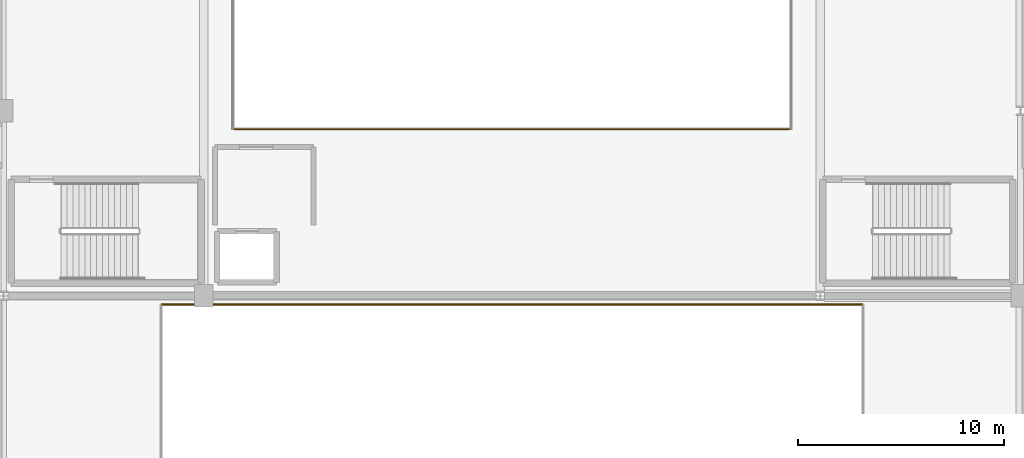
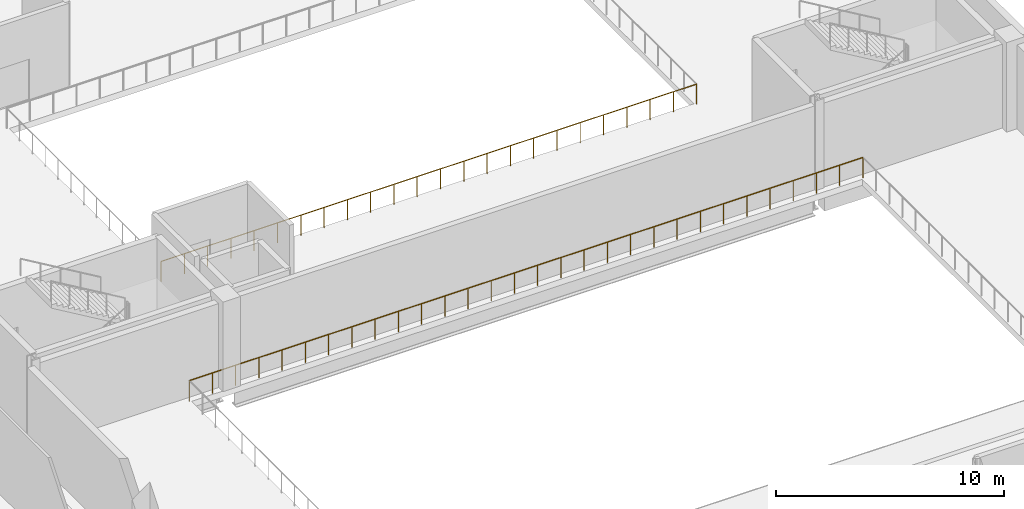
# One storey, part 38 of 41: 2 railings.
"""IFC4 building model written with IfcOpenShell, lengths in metres."""

from ifc_helpers import new_model, si_unit, direction, frame, origin, origin_2d, place, context, subcontext, project, spatial, circle, extrude, material, type_object, element, save


model = new_model("IFC4")

# Units and contexts
model_context = context("Model", 3, precision=1e-05, world=origin(), true_north=direction((0.0, 1.0)))
body_context = subcontext(model_context, "Body", "Model", "MODEL_VIEW")
ifc_project = project(units=[si_unit("LENGTHUNIT", "METRE"), si_unit("AREAUNIT", "SQUARE_METRE"), si_unit("VOLUMEUNIT", "CUBIC_METRE"), si_unit("PLANEANGLEUNIT", "RADIAN"), si_unit("MASSUNIT", "GRAM", prefix="KILO")], contexts=[model_context])

# Site, building, storey
site_placement = place(None, origin())
site = spatial("IfcSite", under=ifc_project, at=site_placement, CompositionType="ELEMENT")
building_placement = place(site_placement, origin())
building = spatial("IfcBuilding", under=site, at=building_placement, Name="Trimount Lyric Opera House", CompositionType="ELEMENT")
storey_placement = place(building_placement, frame((0.0, 0.0, 20.0)))
storey = spatial("IfcBuildingStorey", under=building, at=storey_placement, Name="L04", CompositionType="ELEMENT", Elevation=20.0)

# Railings
ifc_material_1 = material(Name="Bronze and Laminated Acoustic Glass", Category="glass")
railing_type_1 = type_object("IfcRailingType", Name="RL-BAL112", PredefinedType="BALUSTRADE", material=ifc_material_1)
railing_1_placement = place(storey_placement, frame((106.080078125, 83.580078125, 0.0)))
element("IfcRailing", 1, at=railing_1_placement, inside=storey, type_object=railing_type_1, Name="L04 atrium and balcony guard GRD-AUD-L04-N", PredefinedType="BALUSTRADE", context=body_context, shape_type="SweptSolid", body=[
    extrude(circle(Radius=0.02734375, at=origin_2d()), frame((0.0, 0.0, 1.0927734375), z_axis=(-1.0, 0.0, 0.0), x_axis=(0.0, -1.0, 0.0)), (0.0, 0.0, 1.0), 34.16015625),
    extrude(circle(Radius=0.02099609375, at=origin_2d()), origin(), (0.0, 0.0, 1.0), 1.065185546875),
    extrude(circle(Radius=0.02099609375, at=origin_2d()), frame((-1.177978515625, 0.0, 0.0)), (0.0, 0.0, 1.0), 1.065185546875),
    extrude(circle(Radius=0.02099609375, at=origin_2d()), frame((-2.35595703125, 0.0, 0.0)), (0.0, 0.0, 1.0), 1.065185546875),
    extrude(circle(Radius=0.02099609375, at=origin_2d()), frame((-3.53369140625, 0.0, 0.0)), (0.0, 0.0, 1.0), 1.065185546875),
    extrude(circle(Radius=0.02099609375, at=origin_2d()), frame((-4.711669921875, 0.0, 0.0)), (0.0, 0.0, 1.0), 1.065185546875),
    extrude(circle(Radius=0.02099609375, at=origin_2d()), frame((-5.8896484375, 0.0, 0.0)), (0.0, 0.0, 1.0), 1.065185546875),
    extrude(circle(Radius=0.02099609375, at=origin_2d()), frame((-7.067626953125, 0.0, 0.0)), (0.0, 0.0, 1.0), 1.065185546875),
    extrude(circle(Radius=0.02099609375, at=origin_2d()), frame((-8.24560546875, 0.0, 0.0)), (0.0, 0.0, 1.0), 1.065185546875),
    extrude(circle(Radius=0.02099609375, at=origin_2d()), frame((-9.423583984375, 0.0, 0.0)), (0.0, 0.0, 1.0), 1.065185546875),
    extrude(circle(Radius=0.02099609375, at=origin_2d()), frame((-10.601318359375, 0.0, 0.0)), (0.0, 0.0, 1.0), 1.065185546875),
    extrude(circle(Radius=0.02099609375, at=origin_2d()), frame((-11.779296875, 0.0, 0.0)), (0.0, 0.0, 1.0), 1.065185546875),
    extrude(circle(Radius=0.02099609375, at=origin_2d()), frame((-12.957275390625, 0.0, 0.0)), (0.0, 0.0, 1.0), 1.065185546875),
    extrude(circle(Radius=0.02099609375, at=origin_2d()), frame((-14.13525390625, 0.0, 0.0)), (0.0, 0.0, 1.0), 1.065185546875),
    extrude(circle(Radius=0.02099609375, at=origin_2d()), frame((-15.313232421875, 0.0, 0.0)), (0.0, 0.0, 1.0), 1.065185546875),
    extrude(circle(Radius=0.02099609375, at=origin_2d()), frame((-16.4912109375, 0.0, 0.0)), (0.0, 0.0, 1.0), 1.065185546875),
    extrude(circle(Radius=0.02099609375, at=origin_2d()), frame((-17.6689453125, 0.0, 0.0)), (0.0, 0.0, 1.0), 1.065185546875),
    extrude(circle(Radius=0.02099609375, at=origin_2d()), frame((-18.846923828125, 0.0, 0.0)), (0.0, 0.0, 1.0), 1.065185546875),
    extrude(circle(Radius=0.02099609375, at=origin_2d()), frame((-20.02490234375, 0.0, 0.0)), (0.0, 0.0, 1.0), 1.065185546875),
    extrude(circle(Radius=0.02099609375, at=origin_2d()), frame((-21.202880859375, 0.0, 0.0)), (0.0, 0.0, 1.0), 1.065185546875),
    extrude(circle(Radius=0.02099609375, at=origin_2d()), frame((-22.380859375, 0.0, 0.0)), (0.0, 0.0, 1.0), 1.065185546875),
    extrude(circle(Radius=0.02099609375, at=origin_2d()), frame((-23.558837890625, 0.0, 0.0)), (0.0, 0.0, 1.0), 1.065185546875),
    extrude(circle(Radius=0.02099609375, at=origin_2d()), frame((-24.736572265625, 0.0, 0.0)), (0.0, 0.0, 1.0), 1.065185546875),
    extrude(circle(Radius=0.02099609375, at=origin_2d()), frame((-25.91455078125, 0.0, 0.0)), (0.0, 0.0, 1.0), 1.065185546875),
    extrude(circle(Radius=0.02099609375, at=origin_2d()), frame((-27.092529296875, 0.0, 0.0)), (0.0, 0.0, 1.0), 1.065185546875),
    extrude(circle(Radius=0.02099609375, at=origin_2d()), frame((-28.2705078125, 0.0, 0.0)), (0.0, 0.0, 1.0), 1.065185546875),
    extrude(circle(Radius=0.02099609375, at=origin_2d()), frame((-29.448486328125, 0.0, 0.0)), (0.0, 0.0, 1.0), 1.065185546875),
    extrude(circle(Radius=0.02099609375, at=origin_2d()), frame((-30.62646484375, 0.0, 0.0)), (0.0, 0.0, 1.0), 1.065185546875),
    extrude(circle(Radius=0.02099609375, at=origin_2d()), frame((-31.80419921875, 0.0, 0.0)), (0.0, 0.0, 1.0), 1.065185546875),
    extrude(circle(Radius=0.02099609375, at=origin_2d()), frame((-32.982177734375, 0.0, 0.0)), (0.0, 0.0, 1.0), 1.065185546875),
    extrude(circle(Radius=0.02099609375, at=origin_2d()), frame((-34.16015625, 0.0, 0.0)), (0.0, 0.0, 1.0), 1.065185546875),
])
ifc_material_2 = material(Name="Brushed Stainless Steel 316", Category="steel")
railing_type_2 = type_object("IfcRailingType", Name="RL-GRD110", PredefinedType="GUARDRAIL", material=ifc_material_2)
railing_2_placement = place(storey_placement, frame((75.419921875, 92.1201171875, 0.0)))
element("IfcRailing", 2, at=railing_2_placement, inside=storey, type_object=railing_type_2, Name="L04 atrium and balcony guard GRD-FLY-L04-S", PredefinedType="GUARDRAIL", context=body_context, shape_type="SweptSolid", body=[
    extrude(circle(Radius=0.02392578125, at=origin_2d()), frame((0.0, 0.0, 1.076171875), z_axis=(1.0, 0.0, 0.0), x_axis=(0.0, 1.0, 0.0)), (0.0, 0.0, 1.0), 27.16015625),
    extrude(circle(Radius=0.02099609375, at=origin_2d()), origin(), (0.0, 0.0, 1.0), 1.052001953125),
    extrude(circle(Radius=0.02099609375, at=origin_2d()), frame((1.180908203125, 0.0, 0.0)), (0.0, 0.0, 1.0), 1.052001953125),
    extrude(circle(Radius=0.02099609375, at=origin_2d()), frame((2.36181640625, 0.0, 0.0)), (0.0, 0.0, 1.0), 1.052001953125),
    extrude(circle(Radius=0.02099609375, at=origin_2d()), frame((3.542724609375, 0.0, 0.0)), (0.0, 0.0, 1.0), 1.052001953125),
    extrude(circle(Radius=0.02099609375, at=origin_2d()), frame((4.723388671875, 0.0, 0.0)), (0.0, 0.0, 1.0), 1.052001953125),
    extrude(circle(Radius=0.02099609375, at=origin_2d()), frame((5.904296875, 0.0, 0.0)), (0.0, 0.0, 1.0), 1.052001953125),
    extrude(circle(Radius=0.02099609375, at=origin_2d()), frame((7.085205078125, 0.0, 0.0)), (0.0, 0.0, 1.0), 1.052001953125),
    extrude(circle(Radius=0.02099609375, at=origin_2d()), frame((8.26611328125, 0.0, 0.0)), (0.0, 0.0, 1.0), 1.052001953125),
    extrude(circle(Radius=0.02099609375, at=origin_2d()), frame((9.447021484375, 0.0, 0.0)), (0.0, 0.0, 1.0), 1.052001953125),
    extrude(circle(Radius=0.02099609375, at=origin_2d()), frame((10.6279296875, 0.0, 0.0)), (0.0, 0.0, 1.0), 1.052001953125),
    extrude(circle(Radius=0.02099609375, at=origin_2d()), frame((11.808837890625, 0.0, 0.0)), (0.0, 0.0, 1.0), 1.052001953125),
    extrude(circle(Radius=0.02099609375, at=origin_2d()), frame((12.98974609375, 0.0, 0.0)), (0.0, 0.0, 1.0), 1.052001953125),
    extrude(circle(Radius=0.02099609375, at=origin_2d()), frame((14.17041015625, 0.0, 0.0)), (0.0, 0.0, 1.0), 1.052001953125),
    extrude(circle(Radius=0.02099609375, at=origin_2d()), frame((15.351318359375, 0.0, 0.0)), (0.0, 0.0, 1.0), 1.052001953125),
    extrude(circle(Radius=0.02099609375, at=origin_2d()), frame((16.5322265625, 0.0, 0.0)), (0.0, 0.0, 1.0), 1.052001953125),
    extrude(circle(Radius=0.02099609375, at=origin_2d()), frame((17.713134765625, 0.0, 0.0)), (0.0, 0.0, 1.0), 1.052001953125),
    extrude(circle(Radius=0.02099609375, at=origin_2d()), frame((18.89404296875, 0.0, 0.0)), (0.0, 0.0, 1.0), 1.052001953125),
    extrude(circle(Radius=0.02099609375, at=origin_2d()), frame((20.074951171875, 0.0, 0.0)), (0.0, 0.0, 1.0), 1.052001953125),
    extrude(circle(Radius=0.02099609375, at=origin_2d()), frame((21.255859375, 0.0, 0.0)), (0.0, 0.0, 1.0), 1.052001953125),
    extrude(circle(Radius=0.02099609375, at=origin_2d()), frame((22.436767578125, 0.0, 0.0)), (0.0, 0.0, 1.0), 1.052001953125),
    extrude(circle(Radius=0.02099609375, at=origin_2d()), frame((23.617431640625, 0.0, 0.0)), (0.0, 0.0, 1.0), 1.052001953125),
    extrude(circle(Radius=0.02099609375, at=origin_2d()), frame((24.79833984375, 0.0, 0.0)), (0.0, 0.0, 1.0), 1.052001953125),
    extrude(circle(Radius=0.02099609375, at=origin_2d()), frame((25.979248046875, 0.0, 0.0)), (0.0, 0.0, 1.0), 1.052001953125),
    extrude(circle(Radius=0.02099609375, at=origin_2d()), frame((27.16015625, 0.0, 0.0)), (0.0, 0.0, 1.0), 1.052001953125),
])

save(model, "model.ifc")
